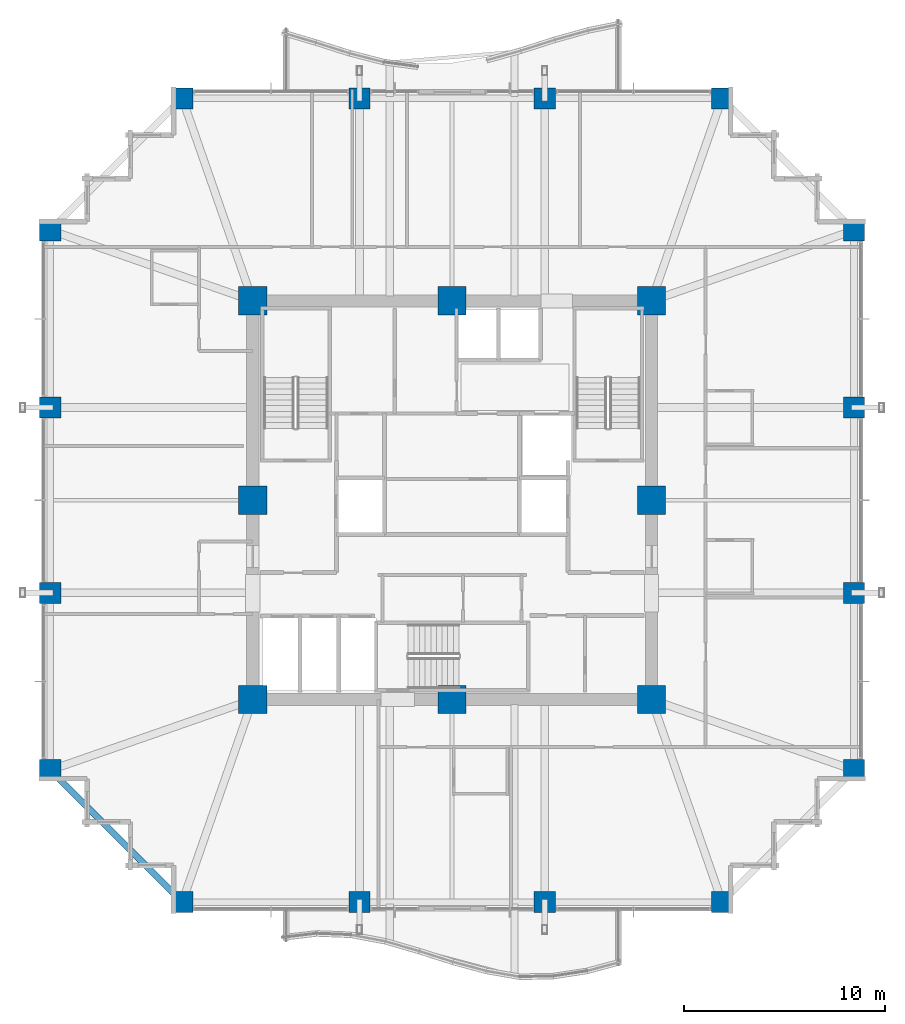
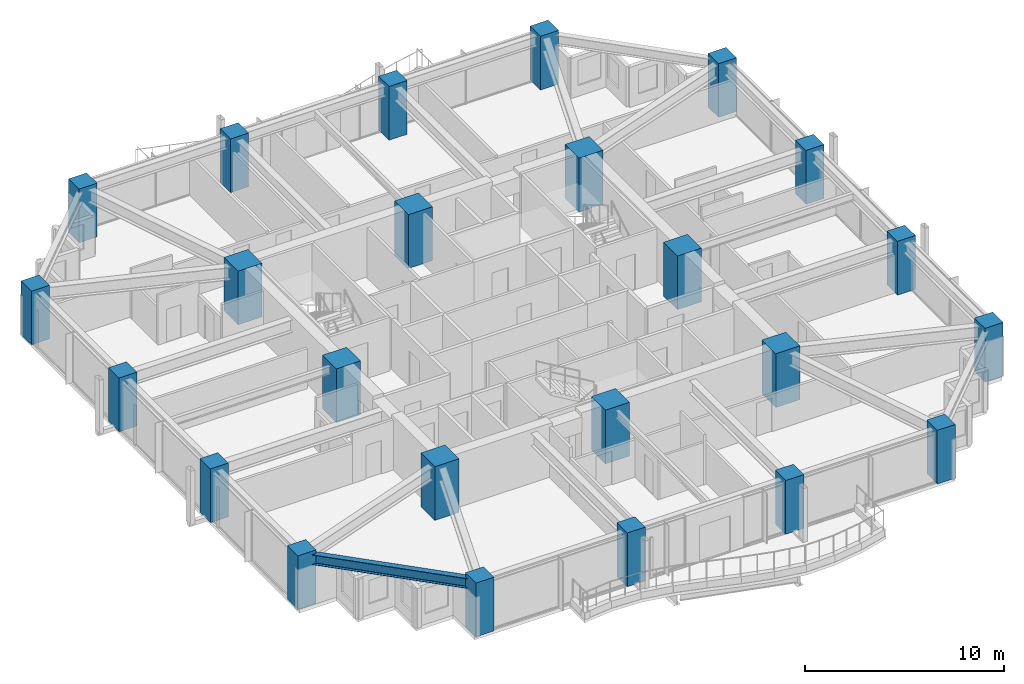
# One storey, part 1 of 38: 24 columns, 1 beam.
"""IFC4 building model written with IfcOpenShell, lengths in metres."""

import ifcopenshell
import ifcopenshell.guid

model = None  # the IFC model being written
_history = None  # IfcOwnerHistory: only IFC2X3 demands one
_inside = {}  # id of a spatial element -> (the spatial element, [elements in it])
_under = {}  # id of a project, library or spatial element -> (it, [spatial elements below it])
_declared = {}  # id of a project -> (the project, [libraries it declares])
_typed = {}  # id of a type object -> (the type object, [elements of that type])
_made_of = {}  # id of a material, layer set ... -> (it, [elements and type objects made of it])


def new_model(schema):
    """Start an empty IFC model of exactly this schema.

    Asked for "IFC4X3", IfcOpenShell would pick the latest addendum, in which some entities
    have other attributes; the version numbers below select the first issue.
    IFC2X3 requires an IfcOwnerHistory on every rooted entity: one is made here for all.
    """
    global model, _history
    if schema == "IFC4X3":
        model = ifcopenshell.file(schema_version=(4, 3, 0, 0))
    else:
        model = ifcopenshell.file(schema=schema)
    _inside.clear()
    _under.clear()
    _declared.clear()
    _typed.clear()
    _made_of.clear()
    _history = None
    if model.schema == "IFC2X3":
        org = make("IfcOrganization", Name="unknown")
        user = make(
            "IfcPersonAndOrganization",
            ThePerson=make("IfcPerson", FamilyName="unknown"),
            TheOrganization=org,
        )
        app = make(
            "IfcApplication",
            ApplicationDeveloper=org,
            Version="unknown",
            ApplicationFullName="unknown",
            ApplicationIdentifier="unknown",
        )
        _history = make(
            "IfcOwnerHistory",
            OwningUser=user,
            OwningApplication=app,
            ChangeAction="ADDED",
            CreationDate=0,
        )
    return model


def make(cls, **values):
    """One entity of the class cls with the attributes given. An attribute that is None is left unset."""
    return model.create_entity(
        cls, **{name: value for name, value in values.items() if value is not None}
    )


def rooted(cls, **values):
    """An entity with a GlobalId (a new one), such as an element, a storey or a relation."""
    return make(cls, GlobalId=ifcopenshell.guid.new(), OwnerHistory=_history, **values)


def si_unit(unit_type, name, prefix=None):
    """IfcSIUnit, for example si_unit("LENGTHUNIT", "METRE", prefix="MILLI")."""
    return make("IfcSIUnit", UnitType=unit_type, Prefix=prefix, Name=name)


def assignment(units):
    """IfcUnitAssignment: the units of a project."""
    return None if units is None else make("IfcUnitAssignment", Units=units)


def point(xyz):
    """IfcCartesianPoint."""
    return None if xyz is None else make("IfcCartesianPoint", Coordinates=xyz)


def direction(xyz):
    """IfcDirection."""
    return None if xyz is None else make("IfcDirection", DirectionRatios=xyz)


def frame(location, z_axis=None, x_axis=None):
    """IfcAxis2Placement3D, a coordinate frame: its origin and axes. An axis left out is left unset."""
    return make(
        "IfcAxis2Placement3D",
        Location=point(location),
        Axis=direction(z_axis),
        RefDirection=direction(x_axis),
    )


def frame_2d(location, x_axis=None):
    """IfcAxis2Placement2D, a coordinate frame in the plane: its origin and x axis."""
    return make(
        "IfcAxis2Placement2D", Location=point(location), RefDirection=direction(x_axis)
    )


def origin():
    """The frame at (0, 0, 0) with its axes left unset."""
    return frame((0.0, 0.0, 0.0))


def origin_2d():
    """The frame at (0, 0) in the plane with its x axis left unset."""
    return frame_2d((0.0, 0.0))


def place(relative_to, where):
    """IfcLocalPlacement: puts the frame where relative to a parent placement (None: the world)."""
    return make(
        "IfcLocalPlacement", PlacementRelTo=relative_to, RelativePlacement=where
    )


def context(
    kind, dimensions, precision=None, world=None, true_north=None, identifier=None
):
    """IfcGeometricRepresentationContext, for example the 3D "Model" context."""
    return make(
        "IfcGeometricRepresentationContext",
        ContextIdentifier=identifier,
        ContextType=kind,
        CoordinateSpaceDimension=dimensions,
        Precision=precision,
        WorldCoordinateSystem=world,
        TrueNorth=true_north,
    )


def subcontext(parent, identifier, kind, view, scale=None):
    """IfcGeometricRepresentationSubContext, for example "Body" below "Model"."""
    return make(
        "IfcGeometricRepresentationSubContext",
        ContextIdentifier=identifier,
        ContextType=kind,
        ParentContext=parent,
        TargetScale=scale,
        TargetView=view,
    )


def project(units=None, contexts=None):
    """IfcProject with its units and contexts."""
    return rooted(
        "IfcProject",
        Name="project",
        RepresentationContexts=contexts,
        UnitsInContext=assignment(units),
    )


def spatial(cls, under=None, at=None, **own):
    """A site, building, storey or space (cls), placed at a placement, below another one or the project."""
    s = rooted(cls, ObjectPlacement=at, **own)
    if under is not None:
        _under.setdefault(under.id(), (under, []))[1].append(s)
    return s


def profile(cls, at=None, kind="AREA", **sizes):
    """A parametric profile (cls). Its sizes go by their IFC names, for example OverallWidth=200.0."""
    return make(cls, ProfileType=kind, Position=at, **sizes)


def rectangle(**sizes):
    """IfcRectangleProfileDef."""
    return profile("IfcRectangleProfileDef", **sizes)


def i_section(**sizes):
    """IfcIShapeProfileDef."""
    return profile("IfcIShapeProfileDef", **sizes)


def extrude(swept, where, along, depth):
    """IfcExtrudedAreaSolid: the profile swept, set in the frame where, extruded along a direction by depth."""
    return make(
        "IfcExtrudedAreaSolid",
        SweptArea=swept,
        Position=where,
        ExtrudedDirection=direction(along),
        Depth=depth,
    )


def shape(context_of_items, identifier, shape_type, items):
    """IfcShapeRepresentation: the items that make up one representation, for example the "Body"."""
    return make(
        "IfcShapeRepresentation",
        ContextOfItems=context_of_items,
        RepresentationIdentifier=identifier,
        RepresentationType=shape_type,
        Items=items,
    )


def material(Name=None, Category=None):
    """IfcMaterial."""
    return make("IfcMaterial", Name=Name, Category=Category)


def material_profile(
    of_material, cross_section, Name=None, Category=None, Priority=None
):
    """IfcMaterialProfile: a cross section and its material."""
    return make(
        "IfcMaterialProfile",
        Name=Name,
        Material=of_material,
        Profile=cross_section,
        Priority=Priority,
        Category=Category,
    )


def profile_set(profiles, Name=None, composite=None):
    """IfcMaterialProfileSet."""
    return make(
        "IfcMaterialProfileSet",
        Name=Name,
        MaterialProfiles=profiles,
        CompositeProfile=composite,
    )


def made_of(thing, what):
    """Note that an element or type object is made of a material, layer set ...; save() writes the relation."""
    if what is not None:
        _made_of.setdefault(what.id(), (what, []))[1].append(thing)
    return thing


def type_object(cls, material=None, **own):
    """A type object (cls), such as IfcWallType, which elements share."""
    return made_of(rooted(cls, **own), material)


def element(
    cls,
    number,
    at=None,
    inside=None,
    cuts=None,
    type_object=None,
    material=None,
    context=None,
    identifier="Body",
    shape_type=None,
    held_by="IfcProductDefinitionShape",
    body=None,
    shapes=None,
    **own,
):
    """One element of the class cls, such as IfcWall. Its Tag is "e" and its number.

    at: its placement. inside: the storey or other place that contains it. cuts: it is an
    opening in that element (IfcRelVoidsElement). A single representation is given by context,
    identifier, shape_type and body (its items); several are given by shapes. held_by: the class
    of the entity that holds the representations. save() writes the other relations.
    """
    e = rooted(cls, Tag="e%d" % number, ObjectPlacement=at, **own)
    if body is not None:
        shapes = [shape(context, identifier, shape_type, body)]
    if shapes is not None:
        e.Representation = make(held_by, Representations=shapes)
    if inside is not None:
        _inside.setdefault(inside.id(), (inside, []))[1].append(e)
    if cuts is not None:
        rooted(
            "IfcRelVoidsElement", RelatingBuildingElement=cuts, RelatedOpeningElement=e
        )
    if type_object is not None:
        _typed.setdefault(type_object.id(), (type_object, []))[1].append(e)
    return made_of(e, material)


def aggregate(whole, parts):
    """IfcRelAggregates: a whole, such as a stair, and the parts it consists of."""
    return rooted("IfcRelAggregates", RelatingObject=whole, RelatedObjects=parts)


def save(model, path):
    """Write the relations noted so far, then the file.

    IfcRelAggregates (storeys below a building ...), IfcRelContainedInSpatialStructure (elements
    in a storey), IfcRelDefinesByType, IfcRelAssociatesMaterial and IfcRelDeclares: one each for
    every whole, place, type object, material and project.
    """
    for whole, parts in _under.values():
        aggregate(whole, parts)
    for where, things in _inside.values():
        rooted(
            "IfcRelContainedInSpatialStructure",
            RelatedElements=things,
            RelatingStructure=where,
        )
    for kind, things in _typed.values():
        rooted("IfcRelDefinesByType", RelatedObjects=things, RelatingType=kind)
    for what, things in _made_of.values():
        rooted("IfcRelAssociatesMaterial", RelatedObjects=things, RelatingMaterial=what)
    for by, libraries in _declared.values():
        rooted("IfcRelDeclares", RelatingContext=by, RelatedDefinitions=libraries)
    model.write(path)


model = new_model("IFC4")

# Units and contexts
model_context = context("Model", 3, precision=1e-05, world=origin(), true_north=direction((0.0, 1.0)))
body_context = subcontext(model_context, "Body", "Model", "MODEL_VIEW")
ifc_project = project(units=[si_unit("LENGTHUNIT", "METRE"), si_unit("AREAUNIT", "SQUARE_METRE"), si_unit("VOLUMEUNIT", "CUBIC_METRE"), si_unit("PLANEANGLEUNIT", "RADIAN"), si_unit("MASSUNIT", "GRAM", prefix="KILO")], contexts=[model_context])

# Site, building, storey
site_placement = place(None, origin())
site = spatial("IfcSite", under=ifc_project, at=site_placement, CompositionType="ELEMENT")
building_placement = place(site_placement, origin())
building = spatial("IfcBuilding", under=site, at=building_placement, Name="Kolvaren Belvedere", CompositionType="ELEMENT")
storey_placement = place(building_placement, frame((0.0, 0.0, 78.800048828125)))
storey = spatial("IfcBuildingStorey", under=building, at=storey_placement, Name="L22", CompositionType="ELEMENT", Elevation=78.800048828125)

# Columns
ifc_material_1 = material(Name="Concrete C50/60", Category="concrete")
ifc_material_profile_1 = material_profile(ifc_material_1, rectangle(XDim=1.050048828125, YDim=1.050048828125, at=origin_2d()), Name="RC 1050X1050")
ifc_profile_set_1 = profile_set([ifc_material_profile_1], Name="Concrete C50/60")
column_type_1 = type_object("IfcColumnType", Name="COL-RC-1050", PredefinedType="COLUMN", material=ifc_profile_set_1)
for number, where, z_axis, x_axis, name in (
    (1, (-13.39990234375, -19.949951171875, 0.0), (0.0, 0.0, 1.0), (1.0, 0.0, 0.0), "L22 Perimeter Column S1"),
    (2, (-4.60009765625, -19.949951171875, 0.0), (0.0, 0.0, 1.0), (1.0, 0.0, 0.0), "L22 Perimeter Column S2"),
    (3, (4.60009765625, -19.949951171875, 0.0), (0.0, 0.0, 1.0), (1.0, 0.0, 0.0), "L22 Perimeter Column S3"),
    (4, (13.39990234375, -19.949951171875, 0.0), (0.0, 0.0, 1.0), (1.0, 0.0, 0.0), "L22 Perimeter Column S4"),
    (5, (-13.39990234375, 19.949951171875, 0.0), (0.0, 0.0, 1.0), (1.0, 0.0, 0.0), "L22 Perimeter Column N1"),
    (6, (-4.60009765625, 19.949951171875, 0.0), (0.0, 0.0, 1.0), (1.0, 0.0, 0.0), "L22 Perimeter Column N2"),
    (7, (4.60009765625, 19.949951171875, 0.0), (0.0, 0.0, 1.0), (1.0, 0.0, 0.0), "L22 Perimeter Column N3"),
    (8, (13.39990234375, 19.949951171875, 0.0), (0.0, 0.0, 1.0), (1.0, 0.0, 0.0), "L22 Perimeter Column N4"),
    (9, (-19.949951171875, -13.39990234375, 0.0), (0.0, 0.0, 1.0), (1.0, 0.0, 0.0), "L22 Perimeter Column W1"),
    (10, (-19.949951171875, -4.60009765625, 0.0), (0.0, 0.0, 1.0), (1.0, 0.0, 0.0), "L22 Perimeter Column W2"),
    (11, (-19.949951171875, 4.60009765625, 0.0), (0.0, 0.0, 1.0), (1.0, 0.0, 0.0), "L22 Perimeter Column W3"),
    (12, (-19.949951171875, 13.39990234375, 0.0), (0.0, 0.0, 1.0), (1.0, 0.0, 0.0), "L22 Perimeter Column W4"),
    (13, (19.949951171875, -13.39990234375, 0.0), (0.0, 0.0, 1.0), (1.0, 0.0, 0.0), "L22 Perimeter Column E1"),
    (14, (19.949951171875, -4.60009765625, 0.0), (0.0, 0.0, 1.0), (1.0, 0.0, 0.0), "L22 Perimeter Column E2"),
    (15, (19.949951171875, 4.60009765625, 0.0), (0.0, 0.0, 1.0), (1.0, 0.0, 0.0), "L22 Perimeter Column E3"),
    (16, (19.949951171875, 13.39990234375, 0.0), (0.0, 0.0, 1.0), (1.0, 0.0, 0.0), "L22 Perimeter Column E4"),
):
    element("IfcColumn", number, at=place(storey_placement, frame(where, z_axis=z_axis, x_axis=x_axis)), inside=storey, type_object=column_type_1, Name=name, PredefinedType="COLUMN", context=body_context, shape_type="SweptSolid", body=[
        extrude(rectangle(XDim=1.050048828125, YDim=1.050048828125, at=origin_2d()), origin(), (0.0, 0.0, 1.0), 3.300048828125),
    ])
ifc_material_2 = material(Name="Concrete C60/75", Category="concrete")
ifc_material_profile_2 = material_profile(ifc_material_2, rectangle(XDim=1.39990234375, YDim=1.39990234375, at=origin_2d()), Name="RC 1400X1400")
ifc_profile_set_2 = profile_set([ifc_material_profile_2], Name="Concrete C60/75")
column_type_2 = type_object("IfcColumnType", Name="COL-RC-1400", PredefinedType="COLUMN", material=ifc_profile_set_2)
for number, where, z_axis, x_axis, name in (
    (17, (-9.89990234375, -9.89990234375, 0.0), (0.0, 0.0, 1.0), (1.0, 0.0, 0.0), "L22 Core Column CC1"),
    (18, (9.89990234375, -9.89990234375, 0.0), (0.0, 0.0, 1.0), (1.0, 0.0, 0.0), "L22 Core Column CC2"),
    (19, (9.89990234375, 9.89990234375, 0.0), (0.0, 0.0, 1.0), (1.0, 0.0, 0.0), "L22 Core Column CC3"),
    (20, (-9.89990234375, 9.89990234375, 0.0), (0.0, 0.0, 1.0), (1.0, 0.0, 0.0), "L22 Core Column CC4"),
    (21, (0.0, -9.89990234375, 0.0), (0.0, 0.0, 1.0), (1.0, 0.0, 0.0), "L22 Core Column CM1"),
    (22, (9.89990234375, 0.0, 0.0), (0.0, 0.0, 1.0), (1.0, 0.0, 0.0), "L22 Core Column CM2"),
    (23, (0.0, 9.89990234375, 0.0), (0.0, 0.0, 1.0), (1.0, 0.0, 0.0), "L22 Core Column CM3"),
    (24, (-9.89990234375, 0.0, 0.0), (0.0, 0.0, 1.0), (1.0, 0.0, 0.0), "L22 Core Column CM4"),
):
    element("IfcColumn", number, at=place(storey_placement, frame(where, z_axis=z_axis, x_axis=x_axis)), inside=storey, type_object=column_type_2, Name=name, PredefinedType="COLUMN", context=body_context, shape_type="SweptSolid", body=[
        extrude(rectangle(XDim=1.39990234375, YDim=1.39990234375, at=origin_2d()), origin(), (0.0, 0.0, 1.0), 3.300048828125),
    ])

# Beam
ifc_material_3 = material(Name="Structural steel ASTM A992 Grade 50", Category="steel")
ifc_material_profile_3 = material_profile(ifc_material_3, i_section(OverallWidth=0.324951171875, OverallDepth=0.615966796875, WebThickness=0.013916015625, FlangeThickness=0.021484375, FilletRadius=0.02001953125, at=origin_2d()), Name="W24X117")
ifc_profile_set_3 = profile_set([ifc_material_profile_3], Name="Structural steel ASTM A992 Grade 50")
beam_type = type_object("IfcBeamType", Name="BM-SPAN-W24X117", PredefinedType="SPANDREL", material=ifc_profile_set_3)
beam_placement = place(storey_placement, frame((-19.782958984375, -13.567138671875, 2.77197265625), z_axis=(0.707106781187, -0.707106781187, 0.0), x_axis=(0.707106781187, 0.707106781187, 0.0)))
element("IfcBeam", 25, at=beam_placement, inside=storey, type_object=beam_type, Name="L22 Perimeter Spandrel W1-S1", PredefinedType="SPANDREL", context=body_context, shape_type="SweptSolid", body=[
    extrude(i_section(OverallWidth=0.324951171875, OverallDepth=0.615966796875, WebThickness=0.013916015625, FlangeThickness=0.021484375, FilletRadius=0.02001953125, at=origin_2d()), origin(), (0.0, 0.0, 1.0), 8.79052734375),
])

save(model, "model.ifc")
